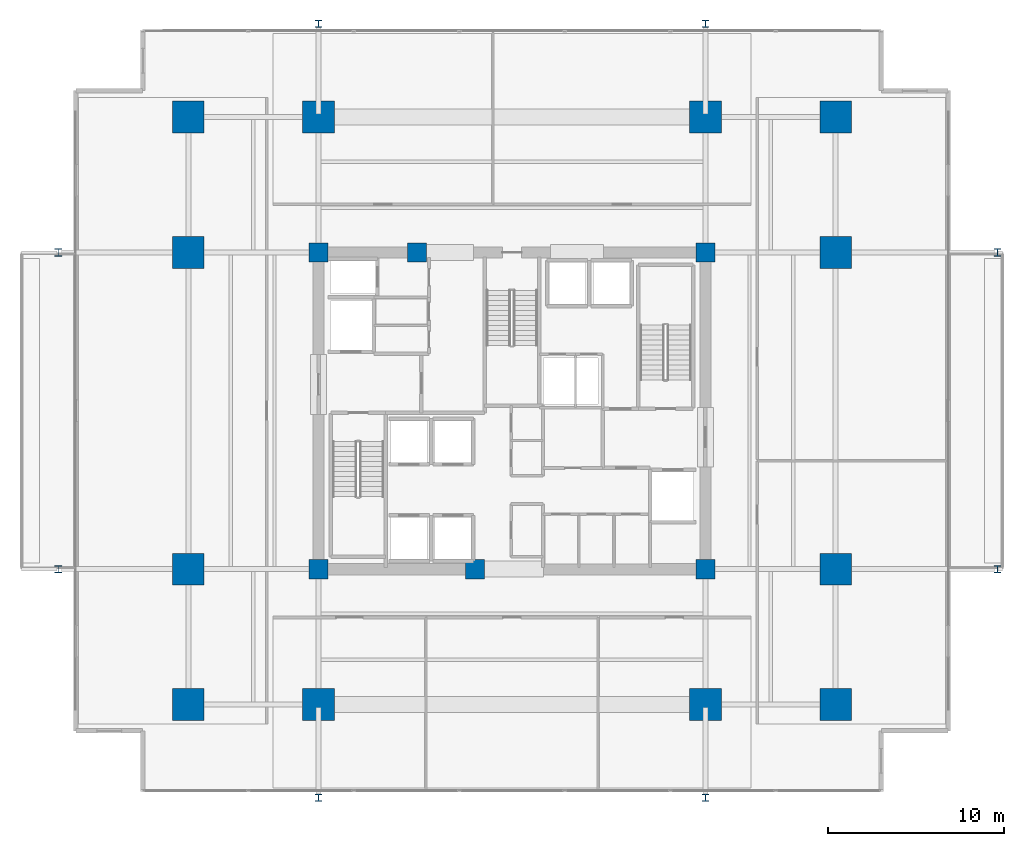
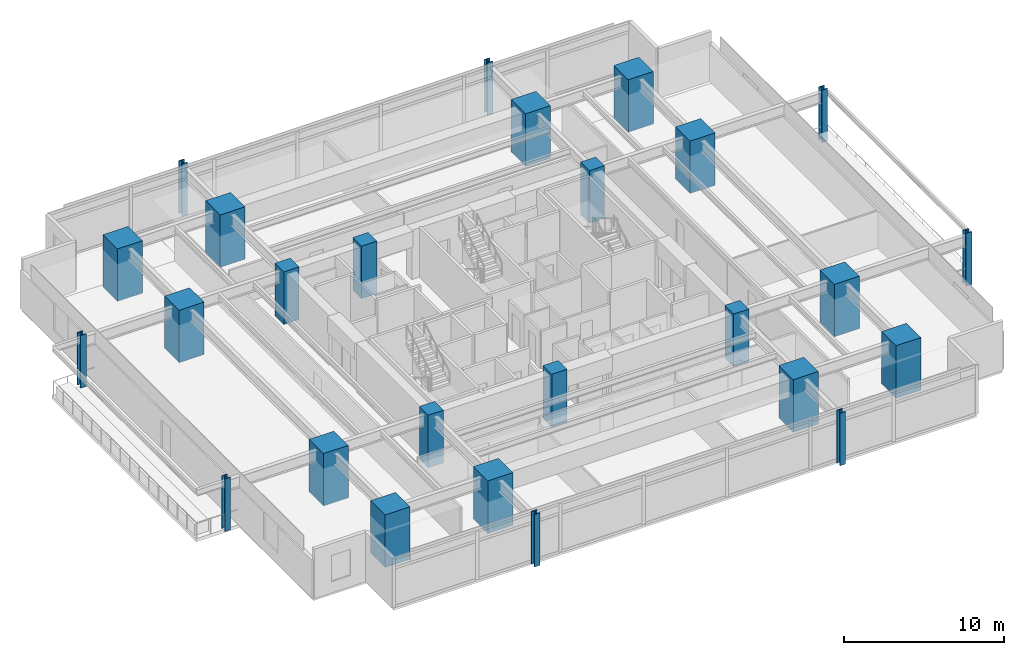
# One storey, part 1 of 21: 26 columns.
"""IFC4 building model written with IfcOpenShell, lengths in metres."""

from ifc_helpers import new_model, si_unit, direction, frame, origin, origin_2d, place, context, subcontext, project, spatial, rectangle, i_section, extrude, material, material_profile, profile_set, type_object, element, save


model = new_model("IFC4")

# Units and contexts
model_context = context("Model", 3, precision=1e-05, world=origin(), true_north=direction((0.0, 1.0)))
body_context = subcontext(model_context, "Body", "Model", "MODEL_VIEW")
ifc_project = project(units=[si_unit("LENGTHUNIT", "METRE"), si_unit("AREAUNIT", "SQUARE_METRE"), si_unit("VOLUMEUNIT", "CUBIC_METRE"), si_unit("PLANEANGLEUNIT", "RADIAN"), si_unit("MASSUNIT", "GRAM", prefix="KILO")], contexts=[model_context])

# Site, building, storey
site_placement = place(None, origin())
site = spatial("IfcSite", under=ifc_project, at=site_placement, CompositionType="ELEMENT")
building_placement = place(site_placement, origin())
building = spatial("IfcBuilding", under=site, at=building_placement, Name="Kovane Verandah Tower", CompositionType="ELEMENT")
storey_placement = place(building_placement, frame((0.0, 0.0, 27.60009765625)))
storey = spatial("IfcBuildingStorey", under=building, at=storey_placement, Name="L05", CompositionType="ELEMENT", Elevation=27.60009765625)

# Columns
ifc_material_1 = material(Name="Concrete C80/95", Category="concrete")
ifc_material_profile_1 = material_profile(ifc_material_1, rectangle(XDim=1.800048828125, YDim=1.800048828125, at=origin_2d()), Name="RC1800x1800")
ifc_profile_set_1 = profile_set([ifc_material_profile_1], Name="Concrete C80/95")
column_type_1 = type_object("IfcColumnType", Name="COL-RC1800", PredefinedType="COLUMN", material=ifc_profile_set_1)
for number, where, z_axis, x_axis, name in (
    (1, (29.0, 10.800048828125, 0.0), (0.0, 0.0, 1.0), (1.0, 0.0, 0.0), "L05 Tower Mega-Column MC-S1"),
    (2, (51.0, 10.800048828125, 0.0), (0.0, 0.0, 1.0), (1.0, 0.0, 0.0), "L05 Tower Mega-Column MC-S2"),
    (3, (29.0, 44.199951171875, 0.0), (0.0, 0.0, 1.0), (1.0, 0.0, 0.0), "L05 Tower Mega-Column MC-N1"),
    (4, (51.0, 44.199951171875, 0.0), (0.0, 0.0, 1.0), (1.0, 0.0, 0.0), "L05 Tower Mega-Column MC-N2"),
    (5, (21.60009765625, 18.5, 0.0), (0.0, 0.0, 1.0), (1.0, 0.0, 0.0), "L05 Tower Mega-Column MC-W1"),
    (6, (21.60009765625, 36.5, 0.0), (0.0, 0.0, 1.0), (1.0, 0.0, 0.0), "L05 Tower Mega-Column MC-W2"),
    (7, (58.39990234375, 18.5, 0.0), (0.0, 0.0, 1.0), (1.0, 0.0, 0.0), "L05 Tower Mega-Column MC-E1"),
    (8, (58.39990234375, 36.5, 0.0), (0.0, 0.0, 1.0), (1.0, 0.0, 0.0), "L05 Tower Mega-Column MC-E2"),
    (9, (21.60009765625, 10.800048828125, 0.0), (0.0, 0.0, 1.0), (1.0, 0.0, 0.0), "L05 Tower Mega-Column MC-SW"),
    (10, (58.39990234375, 10.800048828125, 0.0), (0.0, 0.0, 1.0), (1.0, 0.0, 0.0), "L05 Tower Mega-Column MC-SE"),
    (11, (21.60009765625, 44.199951171875, 0.0), (0.0, 0.0, 1.0), (1.0, 0.0, 0.0), "L05 Tower Mega-Column MC-NW"),
    (12, (58.39990234375, 44.199951171875, 0.0), (0.0, 0.0, 1.0), (1.0, 0.0, 0.0), "L05 Tower Mega-Column MC-NE"),
):
    element("IfcColumn", number, at=place(storey_placement, frame(where, z_axis=z_axis, x_axis=x_axis)), inside=storey, type_object=column_type_1, Name=name, PredefinedType="COLUMN", context=body_context, shape_type="SweptSolid", body=[
        extrude(rectangle(XDim=1.800048828125, YDim=1.800048828125, at=origin_2d()), origin(), (0.0, 0.0, 1.0), 4.0),
    ])
ifc_material_2 = material(Name="Steel S460", Category="steel")
ifc_material_profile_2 = material_profile(ifc_material_2, i_section(OverallWidth=0.412109375, OverallDepth=0.4365234375, WebThickness=0.035888671875, FlangeThickness=0.05810546875, FilletRadius=0.01513671875, at=origin_2d()), Name="UC356x406x467")
ifc_profile_set_2 = profile_set([ifc_material_profile_2], Name="Steel S460")
column_type_2 = type_object("IfcColumnType", Name="COL-UC467", PredefinedType="COLUMN", material=ifc_profile_set_2)
for number, where, z_axis, x_axis, name in (
    (13, (14.199951171875, 18.5, 0.0), (0.0, 0.0, 1.0), (1.0, 0.0, 0.0), "L05 Verandah Perimeter Column VC-W1"),
    (14, (14.199951171875, 36.5, 0.0), (0.0, 0.0, 1.0), (1.0, 0.0, 0.0), "L05 Verandah Perimeter Column VC-W2"),
    (15, (67.60009765625, 18.5, 0.0), (0.0, 0.0, 1.0), (1.0, 0.0, 0.0), "L05 Verandah Perimeter Column VC-E1"),
    (16, (67.60009765625, 36.5, 0.0), (0.0, 0.0, 1.0), (1.0, 0.0, 0.0), "L05 Verandah Perimeter Column VC-E2"),
    (17, (29.0, 5.5, 0.0), (0.0, 0.0, 1.0), (1.0, 0.0, 0.0), "L05 Verandah Perimeter Column VC-S1"),
    (18, (51.0, 5.5, 0.0), (0.0, 0.0, 1.0), (1.0, 0.0, 0.0), "L05 Verandah Perimeter Column VC-S2"),
    (19, (29.0, 49.5, 0.0), (0.0, 0.0, 1.0), (1.0, 0.0, 0.0), "L05 Verandah Perimeter Column VC-N1"),
    (20, (51.0, 49.5, 0.0), (0.0, 0.0, 1.0), (1.0, 0.0, 0.0), "L05 Verandah Perimeter Column VC-N2"),
):
    element("IfcColumn", number, at=place(storey_placement, frame(where, z_axis=z_axis, x_axis=x_axis)), inside=storey, type_object=column_type_2, Name=name, PredefinedType="COLUMN", context=body_context, shape_type="SweptSolid", body=[
        extrude(i_section(OverallWidth=0.412109375, OverallDepth=0.4365234375, WebThickness=0.035888671875, FlangeThickness=0.05810546875, FilletRadius=0.01513671875, at=origin_2d()), origin(), (0.0, 0.0, 1.0), 4.0),
    ])
ifc_material_profile_3 = material_profile(ifc_material_1, rectangle(XDim=1.10009765625, YDim=1.10009765625, at=origin_2d()), Name="RC1100x1100")
ifc_profile_set_3 = profile_set([ifc_material_profile_3], Name="Concrete C80/95")
column_type_3 = type_object("IfcColumnType", Name="PIL-RC1100", PredefinedType="PILASTER", material=ifc_profile_set_3)
for number, where, z_axis, x_axis, name in (
    (21, (29.0, 18.5, 0.0), (0.0, 0.0, 1.0), (1.0, 0.0, 0.0), "L05 Core Pilaster CP-SW"),
    (22, (51.0, 18.5, 0.0), (0.0, 0.0, 1.0), (1.0, 0.0, 0.0), "L05 Core Pilaster CP-SE"),
    (23, (29.0, 36.5, 0.0), (0.0, 0.0, 1.0), (1.0, 0.0, 0.0), "L05 Core Pilaster CP-NW"),
    (24, (51.0, 36.5, 0.0), (0.0, 0.0, 1.0), (1.0, 0.0, 0.0), "L05 Core Pilaster CP-NE"),
    (25, (37.89990234375, 18.5, 0.0), (0.0, 0.0, 1.0), (1.0, 0.0, 0.0), "L05 Core Pilaster CP-S"),
    (26, (34.60009765625, 36.5, 0.0), (0.0, 0.0, 1.0), (1.0, 0.0, 0.0), "L05 Core Pilaster CP-N"),
):
    element("IfcColumn", number, at=place(storey_placement, frame(where, z_axis=z_axis, x_axis=x_axis)), inside=storey, type_object=column_type_3, Name=name, PredefinedType="PILASTER", context=body_context, shape_type="SweptSolid", body=[
        extrude(rectangle(XDim=1.10009765625, YDim=1.10009765625, at=origin_2d()), origin(), (0.0, 0.0, 1.0), 4.0),
    ])

save(model, "model.ifc")
